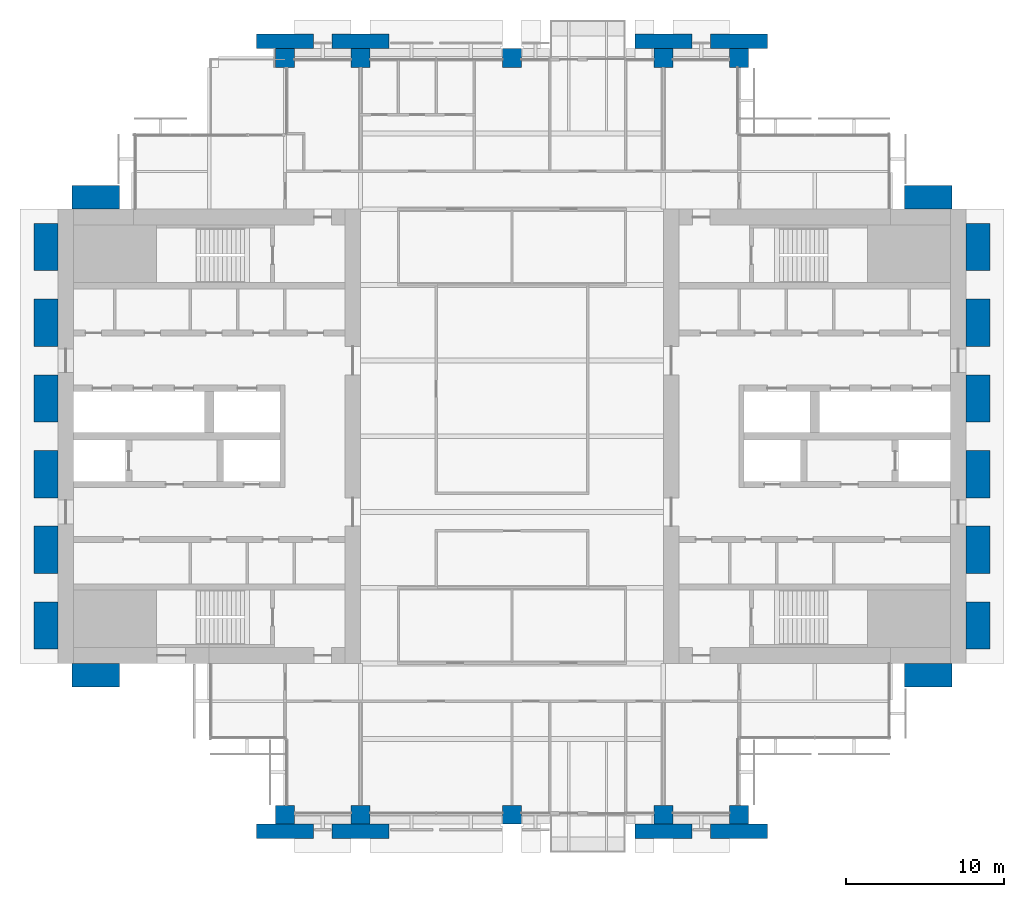
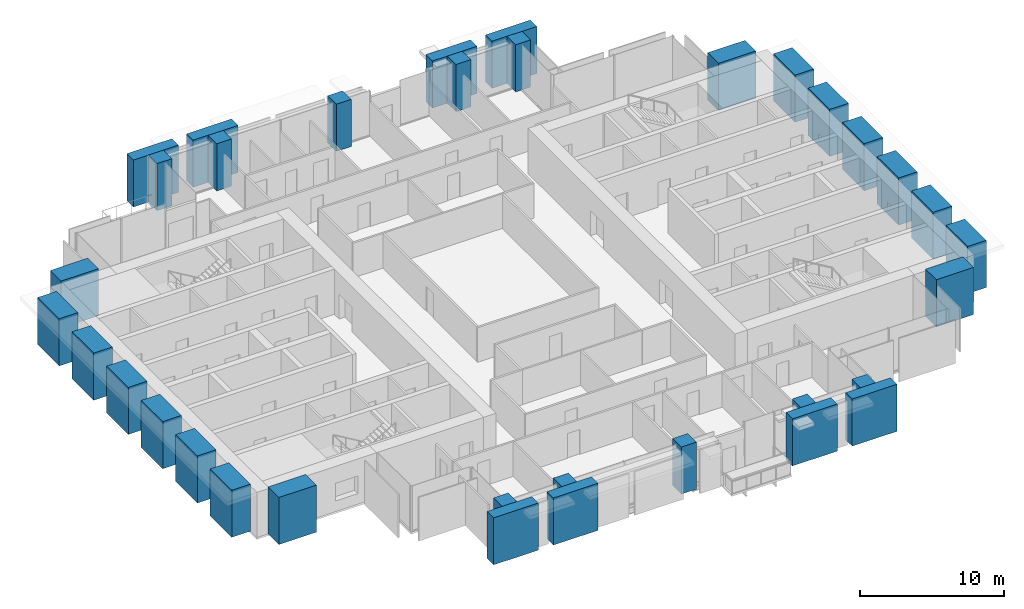
# One storey, part 1 of 15: 34 columns.
"""IFC4 building model written with IfcOpenShell, lengths in metres."""

from ifc_helpers import new_model, si_unit, direction, frame, origin, origin_2d, place, context, subcontext, project, spatial, rectangle, extrude, material, material_profile, profile_set, type_object, element, save


model = new_model("IFC4")

# Units and contexts
model_context = context("Model", 3, precision=1e-05, world=origin(), true_north=direction((0.0, 1.0)))
body_context = subcontext(model_context, "Body", "Model", "MODEL_VIEW")
ifc_project = project(units=[si_unit("LENGTHUNIT", "METRE"), si_unit("AREAUNIT", "SQUARE_METRE"), si_unit("VOLUMEUNIT", "CUBIC_METRE"), si_unit("PLANEANGLEUNIT", "RADIAN"), si_unit("MASSUNIT", "GRAM", prefix="KILO")], contexts=[model_context])

# Site, building, storey
site_placement = place(None, origin())
site = spatial("IfcSite", under=ifc_project, at=site_placement, CompositionType="ELEMENT")
building_placement = place(site_placement, origin())
building = spatial("IfcBuilding", under=site, at=building_placement, Name="Baori Bourse Tower", CompositionType="ELEMENT")
storey_placement = place(building_placement, frame((0.0, 0.0, 116.10009765625)))
storey = spatial("IfcBuildingStorey", under=building, at=storey_placement, Name="L24", CompositionType="ELEMENT", Elevation=116.10009765625)

# Columns
ifc_material_1 = material(Name="Concrete f'c 60 MPa", Category="concrete")
ifc_material_profile_1 = material_profile(ifc_material_1, rectangle(XDim=3.60009765625, YDim=0.89990234375, at=origin_2d()), Name="RC 3600x900")
ifc_profile_set_1 = profile_set([ifc_material_profile_1], Name="Concrete f'c 60 MPa")
column_type_1 = type_object("IfcColumnType", Name="FN3 Brick pilaster 3600x900", PredefinedType="PILASTER", material=ifc_profile_set_1)
for number, where, z_axis, x_axis, name in (
    (1, (14.39990234375, -1.050048828125, 0.0), (0.0, 0.0, 1.0), (1.0, 0.0, 0.0), "Brick pilaster L24 17"),
    (2, (19.199951171875, -1.050048828125, 0.0), (0.0, 0.0, 1.0), (1.0, 0.0, 0.0), "Brick pilaster L24 18"),
    (3, (38.39990234375, -1.050048828125, 0.0), (0.0, 0.0, 1.0), (1.0, 0.0, 0.0), "Brick pilaster L24 19"),
    (4, (43.199951171875, -1.050048828125, 0.0), (0.0, 0.0, 1.0), (1.0, 0.0, 0.0), "Brick pilaster L24 20"),
    (5, (14.39990234375, 49.050048828125, 0.0), (0.0, 0.0, 1.0), (1.0, 0.0, 0.0), "Brick pilaster L24 21"),
    (6, (19.199951171875, 49.050048828125, 0.0), (0.0, 0.0, 1.0), (1.0, 0.0, 0.0), "Brick pilaster L24 22"),
    (7, (38.39990234375, 49.050048828125, 0.0), (0.0, 0.0, 1.0), (1.0, 0.0, 0.0), "Brick pilaster L24 23"),
    (8, (43.199951171875, 49.050048828125, 0.0), (0.0, 0.0, 1.0), (1.0, 0.0, 0.0), "Brick pilaster L24 24"),
):
    element("IfcColumn", number, at=place(storey_placement, frame(where, z_axis=z_axis, x_axis=x_axis)), inside=storey, type_object=column_type_1, Name=name, PredefinedType="PILASTER", context=body_context, shape_type="SweptSolid", body=[
        extrude(rectangle(XDim=3.60009765625, YDim=0.89990234375, at=origin_2d()), origin(), (0.0, 0.0, 1.0), 4.0),
    ])
ifc_material_2 = material(Name="Concrete f'c 60 MPa", Category="concrete")
ifc_material_profile_2 = material_profile(ifc_material_2, rectangle(XDim=3.0, YDim=1.5, at=origin_2d()), Name="RC 3000x1500")
ifc_profile_set_2 = profile_set([ifc_material_profile_2], Name="Concrete f'c 60 MPa")
column_type_2 = type_object("IfcColumnType", Name="FN4 Brick flank pilaster 3000x1500", PredefinedType="PILASTER", material=ifc_profile_set_2)
for number, where, z_axis, x_axis, name in (
    (9, (55.199951171875, 8.85009765625, 0.0), (0.0, 0.0, 1.0), (1.0, 0.0, 0.0), "Brick pilaster L24 1"),
    (10, (58.35009765625, 12.0, 0.0), (0.0, 0.0, 1.0), (0.0, 1.0, 0.0), "Brick pilaster L24 2"),
    (11, (58.35009765625, 16.800048828125, 0.0), (0.0, 0.0, 1.0), (0.0, 1.0, 0.0), "Brick pilaster L24 3"),
    (12, (58.35009765625, 21.60009765625, 0.0), (0.0, 0.0, 1.0), (0.0, 1.0, 0.0), "Brick pilaster L24 4"),
    (13, (58.35009765625, 26.39990234375, 0.0), (0.0, 0.0, 1.0), (0.0, 1.0, 0.0), "Brick pilaster L24 5"),
    (14, (58.35009765625, 31.199951171875, 0.0), (0.0, 0.0, 1.0), (0.0, 1.0, 0.0), "Brick pilaster L24 6"),
    (15, (58.35009765625, 36.0, 0.0), (0.0, 0.0, 1.0), (0.0, 1.0, 0.0), "Brick pilaster L24 7"),
    (16, (55.199951171875, 39.14990234375, 0.0), (0.0, 0.0, 1.0), (1.0, 0.0, 0.0), "Brick pilaster L24 8"),
    (17, (2.39990234375, 39.14990234375, 0.0), (0.0, 0.0, 1.0), (1.0, 0.0, 0.0), "Brick pilaster L24 9"),
    (18, (-0.75, 12.0, 0.0), (0.0, 0.0, 1.0), (0.0, 1.0, 0.0), "Brick pilaster L24 10"),
    (19, (-0.75, 16.800048828125, 0.0), (0.0, 0.0, 1.0), (0.0, 1.0, 0.0), "Brick pilaster L24 11"),
    (20, (-0.75, 21.60009765625, 0.0), (0.0, 0.0, 1.0), (0.0, 1.0, 0.0), "Brick pilaster L24 12"),
    (21, (-0.75, 26.39990234375, 0.0), (0.0, 0.0, 1.0), (0.0, 1.0, 0.0), "Brick pilaster L24 13"),
    (22, (-0.75, 31.199951171875, 0.0), (0.0, 0.0, 1.0), (0.0, 1.0, 0.0), "Brick pilaster L24 14"),
    (23, (-0.75, 36.0, 0.0), (0.0, 0.0, 1.0), (0.0, 1.0, 0.0), "Brick pilaster L24 15"),
    (24, (2.39990234375, 8.85009765625, 0.0), (0.0, 0.0, 1.0), (1.0, 0.0, 0.0), "Brick pilaster L24 16"),
):
    element("IfcColumn", number, at=place(storey_placement, frame(where, z_axis=z_axis, x_axis=x_axis)), inside=storey, type_object=column_type_2, Name=name, PredefinedType="PILASTER", context=body_context, shape_type="SweptSolid", body=[
        extrude(rectangle(XDim=3.0, YDim=1.5, at=origin_2d()), origin(), (0.0, 0.0, 1.0), 4.0),
    ])
ifc_material_3 = material(Name="Concrete f'c 60 MPa", Category="concrete")
ifc_material_profile_3 = material_profile(ifc_material_3, rectangle(XDim=1.199951171875, YDim=1.199951171875, at=origin_2d()), Name="RC 1200x1200")
ifc_profile_set_3 = profile_set([ifc_material_profile_3], Name="Concrete f'c 60 MPa")
column_type_3 = type_object("IfcColumnType", Name="Perimeter column 60 RC 1200x1200", PredefinedType="COLUMN", material=ifc_profile_set_3)
for number, where, z_axis, x_axis, name in (
    (25, (14.39990234375, 0.0, 0.0), (0.0, 0.0, 1.0), (1.0, 0.0, 0.0), "Perimeter column L24"),
    (26, (19.199951171875, 0.0, 0.0), (0.0, 0.0, 1.0), (1.0, 0.0, 0.0), "Perimeter column L24"),
    (27, (28.800048828125, 0.0, 0.0), (0.0, 0.0, 1.0), (1.0, 0.0, 0.0), "Perimeter column L24"),
    (28, (38.39990234375, 0.0, 0.0), (0.0, 0.0, 1.0), (1.0, 0.0, 0.0), "Perimeter column L24"),
    (29, (43.199951171875, 0.0, 0.0), (0.0, 0.0, 1.0), (1.0, 0.0, 0.0), "Perimeter column L24"),
    (30, (14.39990234375, 48.0, 0.0), (0.0, 0.0, 1.0), (1.0, 0.0, 0.0), "Perimeter column L24"),
    (31, (19.199951171875, 48.0, 0.0), (0.0, 0.0, 1.0), (1.0, 0.0, 0.0), "Perimeter column L24"),
    (32, (28.800048828125, 48.0, 0.0), (0.0, 0.0, 1.0), (1.0, 0.0, 0.0), "Perimeter column L24"),
    (33, (38.39990234375, 48.0, 0.0), (0.0, 0.0, 1.0), (1.0, 0.0, 0.0), "Perimeter column L24"),
    (34, (43.199951171875, 48.0, 0.0), (0.0, 0.0, 1.0), (1.0, 0.0, 0.0), "Perimeter column L24"),
):
    element("IfcColumn", number, at=place(storey_placement, frame(where, z_axis=z_axis, x_axis=x_axis)), inside=storey, type_object=column_type_3, Name=name, PredefinedType="COLUMN", context=body_context, shape_type="SweptSolid", body=[
        extrude(rectangle(XDim=1.199951171875, YDim=1.199951171875, at=origin_2d()), origin(), (0.0, 0.0, 1.0), 4.0),
    ])

save(model, "model.ifc")
